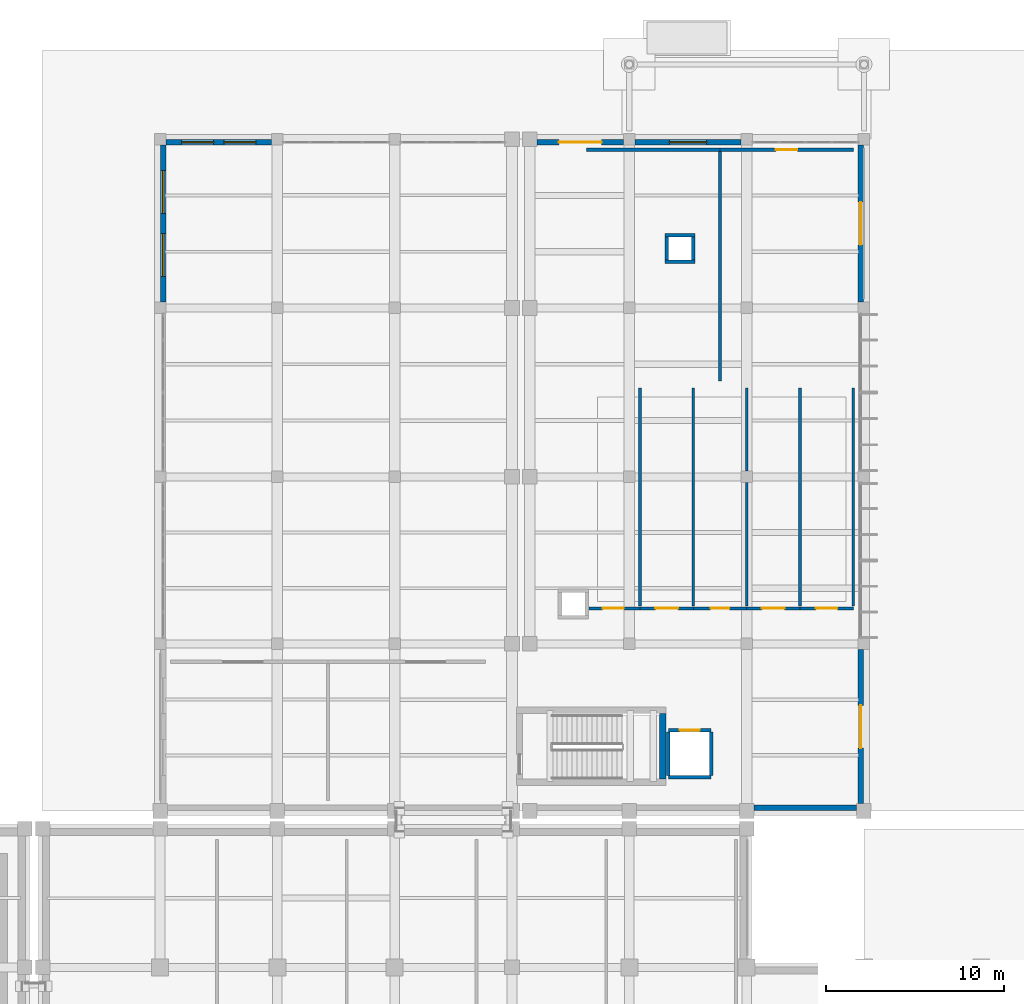
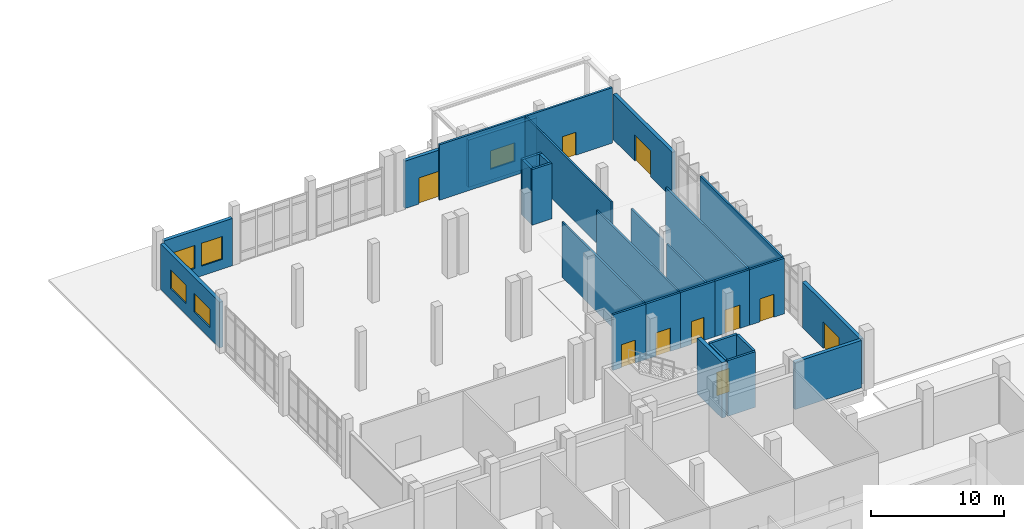
# One storey, part 60 of 79: 30 walls, 10 doors, 5 windows, 15 openings.
"""IFC4 building model written with IfcOpenShell, lengths in metres."""

from ifc_helpers import new_model, si_unit, direction, frame, frame_2d, origin, place, context, subcontext, project, spatial, rectangle, extrude, material, layer, layer_set, type_object, element, fill, save


model = new_model("IFC4")

# Units and contexts
model_context = context("Model", 3, precision=1e-05, world=origin(), true_north=direction((0.0, 1.0)))
body_context = subcontext(model_context, "Body", "Model", "MODEL_VIEW")
ifc_project = project(units=[si_unit("LENGTHUNIT", "METRE"), si_unit("AREAUNIT", "SQUARE_METRE"), si_unit("VOLUMEUNIT", "CUBIC_METRE"), si_unit("PLANEANGLEUNIT", "RADIAN"), si_unit("MASSUNIT", "GRAM", prefix="KILO")], contexts=[model_context])

# Site, building, storey
site_placement = place(None, origin())
site = spatial("IfcSite", under=ifc_project, at=site_placement, CompositionType="ELEMENT")
building_placement = place(site_placement, origin())
building = spatial("IfcBuilding", under=site, at=building_placement, Name="Kelarvand Opera House", CompositionType="ELEMENT")
storey_placement = place(building_placement, origin())
storey = spatial("IfcBuildingStorey", under=building, at=storey_placement, Name="L00", CompositionType="ELEMENT", Elevation=0.0)

# Walls
ifc_material_1 = material(Name="Acoustic double-stud gypsum partition")
ifc_layer_1 = layer(ifc_material_1, 0.14990234375, Name="Acoustic double-stud gypsum partition")
ifc_layer_set_1 = layer_set([ifc_layer_1], Name="Acoustic double-stud gypsum partition")
wall_type_1 = type_object("IfcWallType", Name="Acoustic Room Partition Wall 150", PredefinedType="PARTITIONING", material=ifc_layer_set_1)
for number, where, z_axis, x_axis, name in (
    (1, (122.60009765625, 98.739990234375, 0.0), (0.0, 0.0, 1.0), (0.0, 1.0, 0.0), "V5 L00 Partition Wall IW-150 (303)"),
    (2, (125.60009765625, 98.739990234375, 0.0), (0.0, 0.0, 1.0), (0.0, 1.0, 0.0), "V5 L00 Partition Wall IW-150 (305)"),
):
    element("IfcWall", number, at=place(storey_placement, frame(where, z_axis=z_axis, x_axis=x_axis)), inside=storey, type_object=wall_type_1, Name=name, PredefinedType="PARTITIONING", context=body_context, shape_type="SweptSolid", body=[
        extrude(rectangle(XDim=12.260009765625, YDim=0.14990234375, at=frame_2d((6.1298828125, 0.0))), origin(), (0.0, 0.0, 1.0), 5.092041015625),
    ])
wall_1_placement = place(storey_placement, frame((128.60009765625, 98.739990234375, 0.0), z_axis=(0.0, 0.0, 1.0), x_axis=(0.0, 1.0, 0.0)))
element("IfcWall", 3, at=wall_1_placement, inside=storey, type_object=wall_type_1, Name="V5 L00 Partition Wall IW-150 (307)", PredefinedType="PARTITIONING", context=body_context, shape_type="SweptSolid", body=[
    extrude(rectangle(XDim=6.93505859375, YDim=0.14990234375, at=frame_2d((3.467529296875, 0.0))), origin(), (0.0, 0.0, 1.0), 4.19189453125),
])
wall_2_placement = place(storey_placement, frame((128.60009765625, 106.324951171875, 0.0), z_axis=(0.0, 0.0, 1.0), x_axis=(0.0, 1.0, 0.0)))
element("IfcWall", 4, at=wall_2_placement, inside=storey, type_object=wall_type_1, Name="V5 L00 Partition Wall IW-150 (308)", PredefinedType="PARTITIONING", context=body_context, shape_type="SweptSolid", body=[
    extrude(rectangle(XDim=4.675048828125, YDim=0.14990234375, at=frame_2d((2.33740234375, 0.0))), origin(), (0.0, 0.0, 1.0), 4.19189453125),
])
for number, where, z_axis, x_axis, name in (
    (5, (131.60009765625, 98.739990234375, 0.0), (0.0, 0.0, 1.0), (0.0, 1.0, 0.0), "V5 L00 Partition Wall IW-150 (310)"),
    (6, (134.60009765625, 98.739990234375, 0.0), (0.0, 0.0, 1.0), (0.0, 1.0, 0.0), "V5 L00 Partition Wall IW-150 (311)"),
):
    element("IfcWall", number, at=place(storey_placement, frame(where, z_axis=z_axis, x_axis=x_axis)), inside=storey, type_object=wall_type_1, Name=name, PredefinedType="PARTITIONING", context=body_context, shape_type="SweptSolid", body=[
        extrude(rectangle(XDim=12.260009765625, YDim=0.14990234375, at=frame_2d((6.1298828125, 0.0))), origin(), (0.0, 0.0, 1.0), 5.092041015625),
    ])
wall_3_placement = place(storey_placement, frame((127.10009765625, 111.39990234375, 0.0), z_axis=(0.0, 0.0, 1.0), x_axis=(0.0, 1.0, 0.0)))
element("IfcWall", 7, at=wall_3_placement, inside=storey, type_object=wall_type_1, Name="V5 L00 Partition Wall IW-150 (314)", PredefinedType="PARTITIONING", context=body_context, shape_type="SweptSolid", body=[
    extrude(rectangle(XDim=13.0, YDim=0.14990234375, at=frame_2d((6.5, 0.0))), origin(), (0.0, 0.0, 1.0), 5.092041015625),
])
ifc_material_2 = material(Name="Concrete C40/50", Category="concrete")
ifc_layer_2 = layer(ifc_material_2, 0.35009765625, Name="Concrete C40/50", Category="concrete")
ifc_layer_set_2 = layer_set([ifc_layer_2], Name="Concrete C40/50")
wall_type_2 = type_object("IfcWallType", Name="Core Stair and Lift Shear Wall 350", PredefinedType="SHEAR", material=ifc_layer_set_2)
wall_4_placement = place(storey_placement, frame((123.875, 92.699951171875, 0.0), z_axis=(0.0, 0.0, 1.0), x_axis=(0.0, -1.0, 0.0)))
element("IfcWall", 8, at=wall_4_placement, inside=storey, type_object=wall_type_2, Name="C7 Stair Core Shear Wall E L00", PredefinedType="SHEAR", context=body_context, shape_type="SweptSolid", body=[
    extrude(rectangle(XDim=3.699951171875, YDim=0.35009765625, at=frame_2d((1.85009765625, 0.0))), origin(), (0.0, 0.0, 1.0), 5.10009765625),
])

# Wall, opening, door
ifc_material_3 = material(Name="Concrete C35/45", Category="concrete")
ifc_layer_3 = layer(ifc_material_3, 0.179931640625, Name="Concrete C35/45", Category="concrete")
ifc_layer_set_3 = layer_set([ifc_layer_3], Name="Concrete C35/45")
wall_type_3 = type_object("IfcWallType", Name="Corridor Fire-Rated Partition Wall 180 EI90", PredefinedType="PARTITIONING", material=ifc_layer_set_3)
wall_5_placement = place(storey_placement, frame((119.739990234375, 98.60009765625, 0.0), z_axis=(0.0, 0.0, 1.0), x_axis=(1.0, 0.0, 0.0)))
wall_5 = element("IfcWall", 9, at=wall_5_placement, inside=storey, type_object=wall_type_3, Name="V5 L00 Partition Wall IW-90 (302)", PredefinedType="PARTITIONING", context=body_context, shape_type="SweptSolid", body=[
    extrude(rectangle(XDim=2.860107421875, YDim=0.179931640625, at=frame_2d((1.43017578125, 0.0))), origin(), (0.0, 0.0, 1.0), 5.092041015625),
])
opening_1_placement = place(wall_5_placement, frame((0.760009765625, 0.0, 0.0)))
opening_1 = element("IfcOpeningElement", 10, at=opening_1_placement, cuts=wall_5, Name="Opening D-06", PredefinedType="OPENING", context=body_context, shape_type="SweptSolid", body=[
    extrude(rectangle(XDim=1.199951171875, YDim=2.10009765625, at=frame_2d((0.60009765625, 1.050048828125))), frame((0.0, 0.10009765625, 0.0), z_axis=(0.0, -1.0, 0.0), x_axis=(1.0, 0.0, 0.0)), (0.0, 0.0, 1.0), 0.199951171875),
])
ifc_material_4 = material(Name="Acoustic walnut-veneered hardwood", Category="wood")
door_type_1 = type_object("IfcDoorType", Name="Accessible Suite Timber Door 1200x2100", OperationType="NOTDEFINED", PredefinedType="DOOR", material=ifc_material_4)
door_1_placement = place(opening_1_placement, origin())
door_1 = element("IfcDoor", 11, at=door_1_placement, inside=storey, type_object=door_type_1, Name="V5 L00 Door D-06 (133)", OperationType="SINGLE_SWING_RIGHT", OverallHeight=2.10009765625, OverallWidth=1.199951171875, PredefinedType="DOOR", context=body_context, shape_type="SweptSolid", body=[
    extrude(rectangle(XDim=1.199951171875, YDim=2.10009765625, at=frame_2d((0.60009765625, 1.050048828125))), frame((0.0, 0.02490234375, 0.0), z_axis=(0.0, -1.0, 0.0), x_axis=(1.0, 0.0, 0.0)), (0.0, 0.0, 1.0), 0.050048828125),
])
fill(opening_1, door_1)

wall_6_placement = place(storey_placement, frame((122.60009765625, 98.60009765625, 0.0), z_axis=(0.0, 0.0, 1.0), x_axis=(1.0, 0.0, 0.0)))
wall_6 = element("IfcWall", 12, at=wall_6_placement, inside=storey, type_object=wall_type_3, Name="V5 L00 Partition Wall IW-90 (304)", PredefinedType="PARTITIONING", context=body_context, shape_type="SweptSolid", body=[
    extrude(rectangle(XDim=3.0, YDim=0.179931640625, at=frame_2d((1.5, 0.0))), origin(), (0.0, 0.0, 1.0), 5.092041015625),
])
opening_2_placement = place(wall_6_placement, frame((0.860107421875, 0.0, 0.0)))
opening_2 = element("IfcOpeningElement", 13, at=opening_2_placement, cuts=wall_6, Name="Opening D-11", PredefinedType="OPENING", context=body_context, shape_type="SweptSolid", body=[
    extrude(rectangle(XDim=1.280029296875, YDim=2.139892578125, at=frame_2d((0.64013671875, 1.06982421875))), frame((0.0, 0.10009765625, 0.0), z_axis=(0.0, -1.0, 0.0), x_axis=(1.0, 0.0, 0.0)), (0.0, 0.0, 1.0), 0.199951171875),
])
door_type_2 = type_object("IfcDoorType", Name="Instrument Store Leaf-and-Half Door 1280x2140", OperationType="NOTDEFINED", PredefinedType="DOOR", material=ifc_material_4)
door_2_placement = place(opening_2_placement, origin())
door_2 = element("IfcDoor", 14, at=door_2_placement, inside=storey, type_object=door_type_2, Name="V5 L00 Door D-11 (134)", OperationType="SINGLE_SWING_LEFT", OverallHeight=2.139892578125, OverallWidth=1.280029296875, PredefinedType="DOOR", context=body_context, shape_type="SweptSolid", body=[
    extrude(rectangle(XDim=1.280029296875, YDim=2.139892578125, at=frame_2d((0.64013671875, 1.06982421875))), frame((0.0, 0.02490234375, 0.0), z_axis=(0.0, -1.0, 0.0), x_axis=(1.0, 0.0, 0.0)), (0.0, 0.0, 1.0), 0.050048828125),
])
fill(opening_2, door_2)

wall_7_placement = place(storey_placement, frame((125.60009765625, 98.60009765625, 0.0), z_axis=(0.0, 0.0, 1.0), x_axis=(1.0, 0.0, 0.0)))
wall_7 = element("IfcWall", 15, at=wall_7_placement, inside=storey, type_object=wall_type_3, Name="V5 L00 Partition Wall IW-90 (306)", PredefinedType="PARTITIONING", context=body_context, shape_type="SweptSolid", body=[
    extrude(rectangle(XDim=3.0, YDim=0.179931640625, at=frame_2d((1.5, 0.0))), origin(), (0.0, 0.0, 1.0), 5.092041015625),
])
opening_3_placement = place(wall_7_placement, frame((0.97509765625, 0.0, 0.0)))
opening_3 = element("IfcOpeningElement", 16, at=opening_3_placement, cuts=wall_7, Name="Opening D-02", PredefinedType="OPENING", context=body_context, shape_type="SweptSolid", body=[
    extrude(rectangle(XDim=1.050048828125, YDim=2.10009765625, at=frame_2d((0.52490234375, 1.050048828125))), frame((0.0, 0.10009765625, 0.0), z_axis=(0.0, -1.0, 0.0), x_axis=(1.0, 0.0, 0.0)), (0.0, 0.0, 1.0), 0.199951171875),
])
door_type_3 = type_object("IfcDoorType", Name="Acoustic Studio Single Door 1050x2100", OperationType="NOTDEFINED", PredefinedType="DOOR", material=ifc_material_4)
door_3_placement = place(opening_3_placement, origin())
door_3 = element("IfcDoor", 17, at=door_3_placement, inside=storey, type_object=door_type_3, Name="V5 L00 Door D-02 (135)", OperationType="SINGLE_SWING_RIGHT", OverallHeight=2.10009765625, OverallWidth=1.050048828125, PredefinedType="DOOR", context=body_context, shape_type="SweptSolid", body=[
    extrude(rectangle(XDim=1.050048828125, YDim=2.10009765625, at=frame_2d((0.52490234375, 1.050048828125))), frame((0.0, 0.02490234375, 0.0), z_axis=(0.0, -1.0, 0.0), x_axis=(1.0, 0.0, 0.0)), (0.0, 0.0, 1.0), 0.050048828125),
])
fill(opening_3, door_3)

wall_8_placement = place(storey_placement, frame((128.60009765625, 98.60009765625, 0.0), z_axis=(0.0, 0.0, 1.0), x_axis=(1.0, 0.0, 0.0)))
wall_8 = element("IfcWall", 18, at=wall_8_placement, inside=storey, type_object=wall_type_3, Name="V5 L00 Partition Wall IW-90 (309)", PredefinedType="PARTITIONING", context=body_context, shape_type="SweptSolid", body=[
    extrude(rectangle(XDim=3.0, YDim=0.179931640625, at=frame_2d((1.5, 0.0))), origin(), (0.0, 0.0, 1.0), 5.092041015625),
])
opening_4_placement = place(wall_8_placement, frame((0.860107421875, 0.0, 0.0)))
opening_4 = element("IfcOpeningElement", 19, at=opening_4_placement, cuts=wall_8, Name="Opening D-11", PredefinedType="OPENING", context=body_context, shape_type="SweptSolid", body=[
    extrude(rectangle(XDim=1.280029296875, YDim=2.139892578125, at=frame_2d((0.64013671875, 1.06982421875))), frame((0.0, 0.10009765625, 0.0), z_axis=(0.0, -1.0, 0.0), x_axis=(1.0, 0.0, 0.0)), (0.0, 0.0, 1.0), 0.199951171875),
])
door_4_placement = place(opening_4_placement, origin())
door_4 = element("IfcDoor", 20, at=door_4_placement, inside=storey, type_object=door_type_2, Name="V5 L00 Door D-11 (136)", OperationType="SINGLE_SWING_LEFT", OverallHeight=2.139892578125, OverallWidth=1.280029296875, PredefinedType="DOOR", context=body_context, shape_type="SweptSolid", body=[
    extrude(rectangle(XDim=1.280029296875, YDim=2.139892578125, at=frame_2d((0.64013671875, 1.06982421875))), frame((0.0, 0.02490234375, 0.0), z_axis=(0.0, -1.0, 0.0), x_axis=(1.0, 0.0, 0.0)), (0.0, 0.0, 1.0), 0.050048828125),
])
fill(opening_4, door_4)

wall_9_placement = place(storey_placement, frame((131.60009765625, 98.60009765625, 0.0), z_axis=(0.0, 0.0, 1.0), x_axis=(1.0, 0.0, 0.0)))
wall_9 = element("IfcWall", 21, at=wall_9_placement, inside=storey, type_object=wall_type_3, Name="V5 L00 Partition Wall IW-90 (312)", PredefinedType="PARTITIONING", context=body_context, shape_type="SweptSolid", body=[
    extrude(rectangle(XDim=3.0, YDim=0.179931640625, at=frame_2d((1.5, 0.0))), origin(), (0.0, 0.0, 1.0), 5.092041015625),
])
opening_5_placement = place(wall_9_placement, frame((0.89990234375, 0.0, 0.0)))
opening_5 = element("IfcOpeningElement", 22, at=opening_5_placement, cuts=wall_9, Name="Opening D-06", PredefinedType="OPENING", context=body_context, shape_type="SweptSolid", body=[
    extrude(rectangle(XDim=1.199951171875, YDim=2.10009765625, at=frame_2d((0.60009765625, 1.050048828125))), frame((0.0, 0.10009765625, 0.0), z_axis=(0.0, -1.0, 0.0), x_axis=(1.0, 0.0, 0.0)), (0.0, 0.0, 1.0), 0.199951171875),
])
door_5_placement = place(opening_5_placement, origin())
door_5 = element("IfcDoor", 23, at=door_5_placement, inside=storey, type_object=door_type_1, Name="V5 L00 Door D-06 (137)", OperationType="SINGLE_SWING_RIGHT", OverallHeight=2.10009765625, OverallWidth=1.199951171875, PredefinedType="DOOR", context=body_context, shape_type="SweptSolid", body=[
    extrude(rectangle(XDim=1.199951171875, YDim=2.10009765625, at=frame_2d((0.60009765625, 1.050048828125))), frame((0.0, 0.02490234375, 0.0), z_axis=(0.0, -1.0, 0.0), x_axis=(1.0, 0.0, 0.0)), (0.0, 0.0, 1.0), 0.050048828125),
])
fill(opening_5, door_5)

# Wall
wall_10_placement = place(storey_placement, frame((119.60009765625, 124.39990234375, 0.0), z_axis=(0.0, 0.0, 1.0), x_axis=(1.0, 0.0, 0.0)))
element("IfcWall", 24, at=wall_10_placement, inside=storey, type_object=wall_type_3, Name="V5 L00 Partition Wall IW-90 (313)", PredefinedType="PARTITIONING", context=body_context, shape_type="SweptSolid", body=[
    extrude(rectangle(XDim=7.5, YDim=0.179931640625, at=frame_2d((3.75, 0.0))), origin(), (0.0, 0.0, 1.0), 5.092041015625),
])

# Wall, opening, door
wall_11_placement = place(storey_placement, frame((127.10009765625, 124.39990234375, 0.0), z_axis=(0.0, 0.0, 1.0), x_axis=(1.0, 0.0, 0.0)))
wall_11 = element("IfcWall", 25, at=wall_11_placement, inside=storey, type_object=wall_type_3, Name="V5 L00 Partition Wall IW-90 (315)", PredefinedType="PARTITIONING", context=body_context, shape_type="SweptSolid", body=[
    extrude(rectangle(XDim=7.5, YDim=0.179931640625, at=frame_2d((3.75, 0.0))), origin(), (0.0, 0.0, 1.0), 5.092041015625),
])
opening_6_placement = place(wall_11_placement, frame((3.14990234375, 0.0, 0.0)))
opening_6 = element("IfcOpeningElement", 26, at=opening_6_placement, cuts=wall_11, Name="Opening D-06", PredefinedType="OPENING", context=body_context, shape_type="SweptSolid", body=[
    extrude(rectangle(XDim=1.199951171875, YDim=2.10009765625, at=frame_2d((0.60009765625, 1.050048828125))), frame((0.0, 0.10009765625, 0.0), z_axis=(0.0, -1.0, 0.0), x_axis=(1.0, 0.0, 0.0)), (0.0, 0.0, 1.0), 0.199951171875),
])
door_6_placement = place(opening_6_placement, origin())
door_6 = element("IfcDoor", 27, at=door_6_placement, inside=storey, type_object=door_type_1, Name="V5 L00 Door D-06 (138)", OperationType="SINGLE_SWING_LEFT", OverallHeight=2.10009765625, OverallWidth=1.199951171875, PredefinedType="DOOR", context=body_context, shape_type="SweptSolid", body=[
    extrude(rectangle(XDim=1.199951171875, YDim=2.10009765625, at=frame_2d((0.60009765625, 1.050048828125))), frame((0.0, 0.02490234375, 0.0), z_axis=(0.0, -1.0, 0.0), x_axis=(1.0, 0.0, 0.0)), (0.0, 0.0, 1.0), 0.050048828125),
])
fill(opening_6, door_6)

ifc_layer_4 = layer(ifc_material_3, 0.300048828125, Name="Concrete C35/45", Category="concrete")
ifc_layer_set_4 = layer_set([ifc_layer_4], Name="Concrete C35/45")
wall_type_4 = type_object("IfcWallType", Name="Insulated Buff Brick Facade Wall 300", PredefinedType="SOLIDWALL", material=ifc_layer_set_4)
wall_12_placement = place(storey_placement, frame((135.02001953125, 124.675048828125, 0.0), z_axis=(0.0, 0.0, 1.0), x_axis=(0.0, -1.0, 0.0)))
wall_12 = element("IfcWall", 28, at=wall_12_placement, inside=storey, type_object=wall_type_4, Name="V5 L00 Exterior Wall EW-300 (595)", PredefinedType="SOLIDWALL", context=body_context, shape_type="SweptSolid", body=[
    extrude(rectangle(XDim=8.85009765625, YDim=0.300048828125, at=frame_2d((4.425048828125, 0.0))), origin(), (0.0, 0.0, 1.0), 4.19189453125),
])
opening_7_placement = place(wall_12_placement, frame((3.22509765625, 0.0, 0.0)))
opening_7 = element("IfcOpeningElement", 29, at=opening_7_placement, cuts=wall_12, Name="Opening EX-240", PredefinedType="OPENING", context=body_context, shape_type="SweptSolid", body=[
    extrude(rectangle(XDim=2.39990234375, YDim=2.39990234375, at=frame_2d((1.199951171875, 1.199951171875))), frame((0.0, 0.16015625, 0.0), z_axis=(0.0, -1.0, 0.0), x_axis=(1.0, 0.0, 0.0)), (0.0, 0.0, 1.0), 0.320068359375),
])
ifc_material_5 = material(Name="Thermally broken bronze-anodised aluminium and safety glass", Category="aluminium")
door_type_4 = type_object("IfcDoorType", Name="Glazed Bronze Double Final Exit Door 2400x2400", OperationType="NOTDEFINED", PredefinedType="DOOR", material=ifc_material_5)
door_7_placement = place(opening_7_placement, origin())
door_7 = element("IfcDoor", 30, at=door_7_placement, inside=storey, type_object=door_type_4, Name="V5 Ground Final Exit Door E04", OperationType="DOUBLE_DOOR_SINGLE_SWING", OverallHeight=2.39990234375, OverallWidth=2.39990234375, PredefinedType="DOOR", context=body_context, shape_type="SweptSolid", body=[
    extrude(rectangle(XDim=2.39990234375, YDim=2.39990234375, at=frame_2d((1.199951171875, 1.199951171875))), frame((0.0, 0.02490234375, 0.0), z_axis=(0.0, -1.0, 0.0), x_axis=(1.0, 0.0, 0.0)), (0.0, 0.0, 1.0), 0.050048828125),
])
fill(opening_7, door_7)

wall_13_placement = place(storey_placement, frame((135.02001953125, 96.27490234375, 0.0), z_axis=(0.0, 0.0, 1.0), x_axis=(0.0, -1.0, 0.0)))
wall_13 = element("IfcWall", 31, at=wall_13_placement, inside=storey, type_object=wall_type_4, Name="V5 L00 Exterior Wall EW-300 (596)", PredefinedType="SOLIDWALL", context=body_context, shape_type="SweptSolid", body=[
    extrude(rectangle(XDim=8.664794921875, YDim=0.300048828125, at=frame_2d((4.33251953125, 0.0))), origin(), (0.0, 0.0, 1.0), 4.19189453125),
])
opening_8_placement = place(wall_13_placement, frame((3.133056640625, 0.0, 0.0)))
opening_8 = element("IfcOpeningElement", 32, at=opening_8_placement, cuts=wall_13, Name="Opening EX-240", PredefinedType="OPENING", context=body_context, shape_type="SweptSolid", body=[
    extrude(rectangle(XDim=2.39990234375, YDim=2.39990234375, at=frame_2d((1.199951171875, 1.199951171875))), frame((0.0, 0.16015625, 0.0), z_axis=(0.0, -1.0, 0.0), x_axis=(1.0, 0.0, 0.0)), (0.0, 0.0, 1.0), 0.320068359375),
])
door_8_placement = place(opening_8_placement, origin())
door_8 = element("IfcDoor", 33, at=door_8_placement, inside=storey, type_object=door_type_4, Name="V5 Ground Final Exit Door E03", OperationType="DOUBLE_DOOR_SINGLE_SWING", OverallHeight=2.39990234375, OverallWidth=2.39990234375, PredefinedType="DOOR", context=body_context, shape_type="SweptSolid", body=[
    extrude(rectangle(XDim=2.39990234375, YDim=2.39990234375, at=frame_2d((1.199951171875, 1.199951171875))), frame((0.0, 0.02490234375, 0.0), z_axis=(0.0, -1.0, 0.0), x_axis=(1.0, 0.0, 0.0)), (0.0, 0.0, 1.0), 0.050048828125),
])
fill(opening_8, door_8)

# Wall, openings, windows
wall_14_placement = place(storey_placement, frame((95.925048828125, 124.820068359375, 0.0), z_axis=(0.0, 0.0, 1.0), x_axis=(1.0, 0.0, 0.0)))
wall_14 = element("IfcWall", 34, at=wall_14_placement, inside=storey, type_object=wall_type_4, Name="V5 L00 Exterior Wall EW-300 (597)", PredefinedType="SOLIDWALL", context=body_context, shape_type="SweptSolid", body=[
    extrude(rectangle(XDim=5.949951171875, YDim=0.300048828125, at=frame_2d((2.97509765625, 0.0))), origin(), (0.0, 0.0, 1.0), 4.342041015625),
])
opening_9_placement = place(wall_14_placement, frame((0.885009765625, 0.0, 0.89990234375)))
opening_9 = element("IfcOpeningElement", 35, at=opening_9_placement, cuts=wall_14, Name="Opening WN-05", PredefinedType="OPENING", context=body_context, shape_type="SweptSolid", body=[
    extrude(rectangle(XDim=1.800048828125, YDim=2.10009765625, at=frame_2d((0.89990234375, 1.050048828125))), frame((0.0, 0.16015625, 0.0), z_axis=(0.0, -1.0, 0.0), x_axis=(1.0, 0.0, 0.0)), (0.0, 0.0, 1.0), 0.320068359375),
])
opening_10_placement = place(wall_14_placement, frame((3.264892578125, 0.0, 0.89990234375)))
opening_10 = element("IfcOpeningElement", 36, at=opening_10_placement, cuts=wall_14, Name="Opening WN-05", PredefinedType="OPENING", context=body_context, shape_type="SweptSolid", body=[
    extrude(rectangle(XDim=1.800048828125, YDim=2.10009765625, at=frame_2d((0.89990234375, 1.050048828125))), frame((0.0, 0.16015625, 0.0), z_axis=(0.0, -1.0, 0.0), x_axis=(1.0, 0.0, 0.0)), (0.0, 0.0, 1.0), 0.320068359375),
])
ifc_material_6 = material(Name="Thermally broken aluminium and low-E double glazing", Category="aluminium")
window_type_1 = type_object("IfcWindowType", Name="Recessed Aluminium Thermal Window 1800x2100 WN-05", PartitioningType="SINGLE_PANEL", PredefinedType="WINDOW", material=ifc_material_6)
window_1_placement = place(opening_9_placement, origin())
window_1 = element("IfcWindow", 37, at=window_1_placement, inside=storey, type_object=window_type_1, Name="V5 L00 Facade Window WN-05 (279)", OverallHeight=2.10009765625, OverallWidth=1.800048828125, PartitioningType="SINGLE_PANEL", PredefinedType="WINDOW", context=body_context, shape_type="SweptSolid", body=[
    extrude(rectangle(XDim=1.800048828125, YDim=2.10009765625, at=frame_2d((0.89990234375, 1.050048828125))), frame((0.0, 0.030029296875, 0.0), z_axis=(0.0, -1.0, 0.0), x_axis=(1.0, 0.0, 0.0)), (0.0, 0.0, 1.0), 0.06005859375),
])
fill(opening_9, window_1)
window_2_placement = place(opening_10_placement, origin())
window_2 = element("IfcWindow", 38, at=window_2_placement, inside=storey, type_object=window_type_1, Name="V5 L00 Facade Window WN-05 (280)", OverallHeight=2.10009765625, OverallWidth=1.800048828125, PartitioningType="SINGLE_PANEL", PredefinedType="WINDOW", context=body_context, shape_type="SweptSolid", body=[
    extrude(rectangle(XDim=1.800048828125, YDim=2.10009765625, at=frame_2d((0.89990234375, 1.050048828125))), frame((0.0, 0.030029296875, 0.0), z_axis=(0.0, -1.0, 0.0), x_axis=(1.0, 0.0, 0.0)), (0.0, 0.0, 1.0), 0.06005859375),
])
fill(opening_10, window_2)

# Wall, opening, door
wall_15_placement = place(storey_placement, frame((116.81005859375, 124.820068359375, 0.0), z_axis=(0.0, 0.0, 1.0), x_axis=(1.0, 0.0, 0.0)))
wall_15 = element("IfcWall", 39, at=wall_15_placement, inside=storey, type_object=wall_type_4, Name="V5 L00 Exterior Wall EW-300 (598)", PredefinedType="SOLIDWALL", context=body_context, shape_type="SweptSolid", body=[
    extrude(rectangle(XDim=4.864990234375, YDim=0.300048828125, at=frame_2d((2.4326171875, 0.0))), origin(), (0.0, 0.0, 1.0), 4.342041015625),
])
opening_11_placement = place(wall_15_placement, frame((1.23193359375, 0.0, 0.0)))
opening_11 = element("IfcOpeningElement", 40, at=opening_11_placement, cuts=wall_15, Name="Opening EX-240", PredefinedType="OPENING", context=body_context, shape_type="SweptSolid", body=[
    extrude(rectangle(XDim=2.39990234375, YDim=2.39990234375, at=frame_2d((1.199951171875, 1.199951171875))), frame((0.0, 0.16015625, 0.0), z_axis=(0.0, -1.0, 0.0), x_axis=(1.0, 0.0, 0.0)), (0.0, 0.0, 1.0), 0.320068359375),
])
door_9_placement = place(opening_11_placement, origin())
door_9 = element("IfcDoor", 41, at=door_9_placement, inside=storey, type_object=door_type_4, Name="V5 Ground Final Exit Door E02", OperationType="DOUBLE_DOOR_SINGLE_SWING", OverallHeight=2.39990234375, OverallWidth=2.39990234375, PredefinedType="DOOR", context=body_context, shape_type="SweptSolid", body=[
    extrude(rectangle(XDim=2.39990234375, YDim=2.39990234375, at=frame_2d((1.199951171875, 1.199951171875))), frame((0.0, 0.02490234375, 0.0), z_axis=(0.0, -1.0, 0.0), x_axis=(1.0, 0.0, 0.0)), (0.0, 0.0, 1.0), 0.050048828125),
])
fill(opening_11, door_9)

# Wall, opening, window
wall_16_placement = place(storey_placement, frame((122.324951171875, 124.820068359375, 0.0), z_axis=(0.0, 0.0, 1.0), x_axis=(1.0, 0.0, 0.0)))
wall_16 = element("IfcWall", 42, at=wall_16_placement, inside=storey, type_object=wall_type_4, Name="V5 L00 Exterior Wall EW-300 (599)", PredefinedType="SOLIDWALL", context=body_context, shape_type="SweptSolid", body=[
    extrude(rectangle(XDim=5.949951171875, YDim=0.300048828125, at=frame_2d((2.97509765625, 0.0))), origin(), (0.0, 0.0, 1.0), 4.342041015625),
])
opening_12_placement = place(wall_16_placement, frame((1.925048828125, 0.0, 1.0)))
opening_12 = element("IfcOpeningElement", 43, at=opening_12_placement, cuts=wall_16, Name="Opening WN-19", PredefinedType="OPENING", context=body_context, shape_type="SweptSolid", body=[
    extrude(rectangle(XDim=2.10009765625, YDim=1.699951171875, at=frame_2d((1.050048828125, 0.85009765625))), frame((0.0, 0.16015625, 0.0), z_axis=(0.0, -1.0, 0.0), x_axis=(1.0, 0.0, 0.0)), (0.0, 0.0, 1.0), 0.320068359375),
])
window_type_2 = type_object("IfcWindowType", Name="Recessed Aluminium Thermal Window 2100x1700 WN-19", PartitioningType="SINGLE_PANEL", PredefinedType="WINDOW", material=ifc_material_6)
window_3_placement = place(opening_12_placement, origin())
window_3 = element("IfcWindow", 44, at=window_3_placement, inside=storey, type_object=window_type_2, Name="V5 L00 Facade Window WN-19 (281)", OverallHeight=1.699951171875, OverallWidth=2.10009765625, PartitioningType="SINGLE_PANEL", PredefinedType="WINDOW", context=body_context, shape_type="SweptSolid", body=[
    extrude(rectangle(XDim=2.10009765625, YDim=1.699951171875, at=frame_2d((1.050048828125, 0.85009765625))), frame((0.0, 0.030029296875, 0.0), z_axis=(0.0, -1.0, 0.0), x_axis=(1.0, 0.0, 0.0)), (0.0, 0.0, 1.0), 0.06005859375),
])
fill(opening_12, window_3)

# Wall, openings, windows
wall_17_placement = place(storey_placement, frame((95.780029296875, 115.824951171875, 0.0), z_axis=(0.0, 0.0, 1.0), x_axis=(0.0, 1.0, 0.0)))
wall_17 = element("IfcWall", 45, at=wall_17_placement, inside=storey, type_object=wall_type_4, Name="V5 L00 Exterior Wall EW-300 (601)", PredefinedType="SOLIDWALL", context=body_context, shape_type="SweptSolid", body=[
    extrude(rectangle(XDim=8.85009765625, YDim=0.300048828125, at=frame_2d((4.425048828125, 0.0))), origin(), (0.0, 0.0, 1.0), 4.19189453125),
])
opening_13_placement = place(wall_17_placement, frame((1.455078125, 0.0, 1.0)))
opening_13 = element("IfcOpeningElement", 46, at=opening_13_placement, cuts=wall_17, Name="Opening WN-20", PredefinedType="OPENING", context=body_context, shape_type="SweptSolid", body=[
    extrude(rectangle(XDim=2.39990234375, YDim=1.699951171875, at=frame_2d((1.199951171875, 0.85009765625))), frame((0.0, 0.16015625, 0.0), z_axis=(0.0, -1.0, 0.0), x_axis=(1.0, 0.0, 0.0)), (0.0, 0.0, 1.0), 0.320068359375),
])
opening_14_placement = place(wall_17_placement, frame((4.9951171875, 0.0, 1.0)))
opening_14 = element("IfcOpeningElement", 47, at=opening_14_placement, cuts=wall_17, Name="Opening WN-20", PredefinedType="OPENING", context=body_context, shape_type="SweptSolid", body=[
    extrude(rectangle(XDim=2.39990234375, YDim=1.699951171875, at=frame_2d((1.199951171875, 0.85009765625))), frame((0.0, 0.16015625, 0.0), z_axis=(0.0, -1.0, 0.0), x_axis=(1.0, 0.0, 0.0)), (0.0, 0.0, 1.0), 0.320068359375),
])
window_type_3 = type_object("IfcWindowType", Name="Recessed Aluminium Thermal Window 2400x1700 WN-20", PartitioningType="SINGLE_PANEL", PredefinedType="WINDOW", material=ifc_material_6)
window_4_placement = place(opening_13_placement, origin())
window_4 = element("IfcWindow", 48, at=window_4_placement, inside=storey, type_object=window_type_3, Name="V5 L00 Facade Window WN-20 (284)", OverallHeight=1.699951171875, OverallWidth=2.39990234375, PartitioningType="SINGLE_PANEL", PredefinedType="WINDOW", context=body_context, shape_type="SweptSolid", body=[
    extrude(rectangle(XDim=2.39990234375, YDim=1.699951171875, at=frame_2d((1.199951171875, 0.85009765625))), frame((0.0, 0.030029296875, 0.0), z_axis=(0.0, -1.0, 0.0), x_axis=(1.0, 0.0, 0.0)), (0.0, 0.0, 1.0), 0.06005859375),
])
fill(opening_13, window_4)
window_5_placement = place(opening_14_placement, origin())
window_5 = element("IfcWindow", 49, at=window_5_placement, inside=storey, type_object=window_type_3, Name="V5 L00 Facade Window WN-20 (285)", OverallHeight=1.699951171875, OverallWidth=2.39990234375, PartitioningType="SINGLE_PANEL", PredefinedType="WINDOW", context=body_context, shape_type="SweptSolid", body=[
    extrude(rectangle(XDim=2.39990234375, YDim=1.699951171875, at=frame_2d((1.199951171875, 0.85009765625))), frame((0.0, 0.030029296875, 0.0), z_axis=(0.0, -1.0, 0.0), x_axis=(1.0, 0.0, 0.0)), (0.0, 0.0, 1.0), 0.06005859375),
])
fill(opening_14, window_5)

# Walls
wall_18_placement = place(storey_placement, frame((134.7900390625, 87.3798828125, 0.0), z_axis=(0.0, 0.0, 1.0), x_axis=(-1.0, 0.0, 0.0)))
element("IfcWall", 50, at=wall_18_placement, inside=storey, type_object=wall_type_4, Name="V5 L00 Exterior Wall EW-300 (602)", PredefinedType="SOLIDWALL", context=body_context, shape_type="SweptSolid", body=[
    extrude(rectangle(XDim=5.780029296875, YDim=0.300048828125, at=frame_2d((2.89013671875, 0.0))), origin(), (0.0, 0.0, 1.0), 4.342041015625),
])
ifc_layer_5 = layer(ifc_material_3, 0.199951171875, Name="Concrete C35/45", Category="concrete")
ifc_layer_set_5 = layer_set([ifc_layer_5], Name="Concrete C35/45")
wall_type_5 = type_object("IfcWallType", Name="Lift and Riser Shaft Enclosure Wall 200 EI120", PredefinedType="PARTITIONING", material=ifc_layer_set_5)
for number, where, z_axis, x_axis, name in (
    (51, (124.0, 118.10009765625, 0.0), (0.0, 0.0, 1.0), (1.0, 0.0, 0.0), "RSR-V5B L00 Riser Shaft Wall 73"),
    (52, (125.699951171875, 119.60009765625, 0.0), (0.0, 0.0, 1.0), (-1.0, 0.0, 0.0), "RSR-V5B L00 Riser Shaft Wall 74"),
):
    element("IfcWall", number, at=place(storey_placement, frame(where, z_axis=z_axis, x_axis=x_axis)), inside=storey, type_object=wall_type_5, Name=name, PredefinedType="PARTITIONING", context=body_context, shape_type="SweptSolid", body=[
        extrude(rectangle(XDim=1.699951171875, YDim=0.199951171875, at=frame_2d((0.85009765625, 0.0))), origin(), (0.0, 0.0, 1.0), 5.10009765625),
    ])
for number, where, z_axis, x_axis, name in (
    (53, (124.10009765625, 118.199951171875, 0.0), (0.0, 0.0, 1.0), (0.0, 1.0, 0.0), "RSR-V5B L00 Riser Shaft Wall 75"),
    (54, (125.60009765625, 119.5, 0.0), (0.0, 0.0, 1.0), (0.0, -1.0, 0.0), "RSR-V5B L00 Riser Shaft Wall 76"),
):
    element("IfcWall", number, at=place(storey_placement, frame(where, z_axis=z_axis, x_axis=x_axis)), inside=storey, type_object=wall_type_5, Name=name, PredefinedType="PARTITIONING", context=body_context, shape_type="SweptSolid", body=[
        extrude(rectangle(XDim=1.300048828125, YDim=0.199951171875, at=frame_2d((0.64990234375, 0.0))), origin(), (0.0, 0.0, 1.0), 5.10009765625),
    ])
wall_19_placement = place(storey_placement, frame((124.199951171875, 89.10009765625, 0.0), z_axis=(0.0, 0.0, 1.0), x_axis=(1.0, 0.0, 0.0)))
element("IfcWall", 55, at=wall_19_placement, inside=storey, type_object=wall_type_5, Name="V5 L00 Partition Wall SW-200 (236)", PredefinedType="PARTITIONING", context=body_context, shape_type="SweptSolid", body=[
    extrude(rectangle(XDim=2.400146484375, YDim=0.199951171875, at=frame_2d((1.2001953125, 0.0))), origin(), (0.0, 0.0, 1.0), 5.092041015625),
])

# Wall, opening, door
wall_20_placement = place(storey_placement, frame((126.60009765625, 91.75, 0.0), z_axis=(0.0, 0.0, 1.0), x_axis=(-1.0, 0.0, 0.0)))
wall_20 = element("IfcWall", 56, at=wall_20_placement, inside=storey, type_object=wall_type_5, Name="V5 L00 Partition Wall SW-200 (237)", PredefinedType="PARTITIONING", context=body_context, shape_type="SweptSolid", body=[
    extrude(rectangle(XDim=2.400146484375, YDim=0.199951171875, at=frame_2d((1.2001953125, 0.0))), origin(), (0.0, 0.0, 1.0), 5.092041015625),
])
opening_15_placement = place(wall_20_placement, frame((0.64990234375, 0.0, 0.0)))
opening_15 = element("IfcOpeningElement", 57, at=opening_15_placement, cuts=wall_20, Name="Opening LD-01", PredefinedType="OPENING", context=body_context, shape_type="SweptSolid", body=[
    extrude(rectangle(XDim=1.10009765625, YDim=2.14990234375, at=frame_2d((0.550048828125, 1.074951171875))), frame((0.0, 0.10986328125, 0.0), z_axis=(0.0, -1.0, 0.0), x_axis=(1.0, 0.0, 0.0)), (0.0, 0.0, 1.0), 0.219970703125),
])
ifc_material_7 = material(Name="Fire-rated brushed stainless steel", Category="steel")
door_type_5 = type_object("IfcDoorType", Name="Passenger Lift Sliding Landing Door 1100x2150", OperationType="SLIDING_TO_LEFT", PredefinedType="DOOR", material=ifc_material_7)
door_10_placement = place(opening_15_placement, origin())
door_10 = element("IfcDoor", 58, at=door_10_placement, inside=storey, type_object=door_type_5, Name="V5 L00 Door LD-01 (100)", OperationType="SLIDING_TO_LEFT", OverallHeight=2.14990234375, OverallWidth=1.10009765625, PredefinedType="DOOR", context=body_context, shape_type="SweptSolid", body=[
    extrude(rectangle(XDim=1.10009765625, YDim=2.14990234375, at=frame_2d((0.550048828125, 1.074951171875))), frame((0.0, 0.02490234375, 0.0), z_axis=(0.0, -1.0, 0.0), x_axis=(1.0, 0.0, 0.0)), (0.0, 0.0, 1.0), 0.050048828125),
])
fill(opening_15, door_10)

# Walls
for number, where, z_axis, x_axis, name in (
    (59, (124.199951171875, 89.199951171875, 0.0), (0.0, 0.0, 1.0), (0.0, 1.0, 0.0), "V5 L00 Partition Wall SW-200 (238)"),
    (60, (126.60009765625, 91.64990234375, 0.0), (0.0, 0.0, 1.0), (0.0, -1.0, 0.0), "V5 L00 Partition Wall SW-200 (239)"),
):
    element("IfcWall", number, at=place(storey_placement, frame(where, z_axis=z_axis, x_axis=x_axis)), inside=storey, type_object=wall_type_5, Name=name, PredefinedType="PARTITIONING", context=body_context, shape_type="SweptSolid", body=[
        extrude(rectangle(XDim=2.449951171875, YDim=0.199951171875, at=frame_2d((1.22509765625, 0.0))), origin(), (0.0, 0.0, 1.0), 5.092041015625),
    ])

save(model, "model.ifc")
